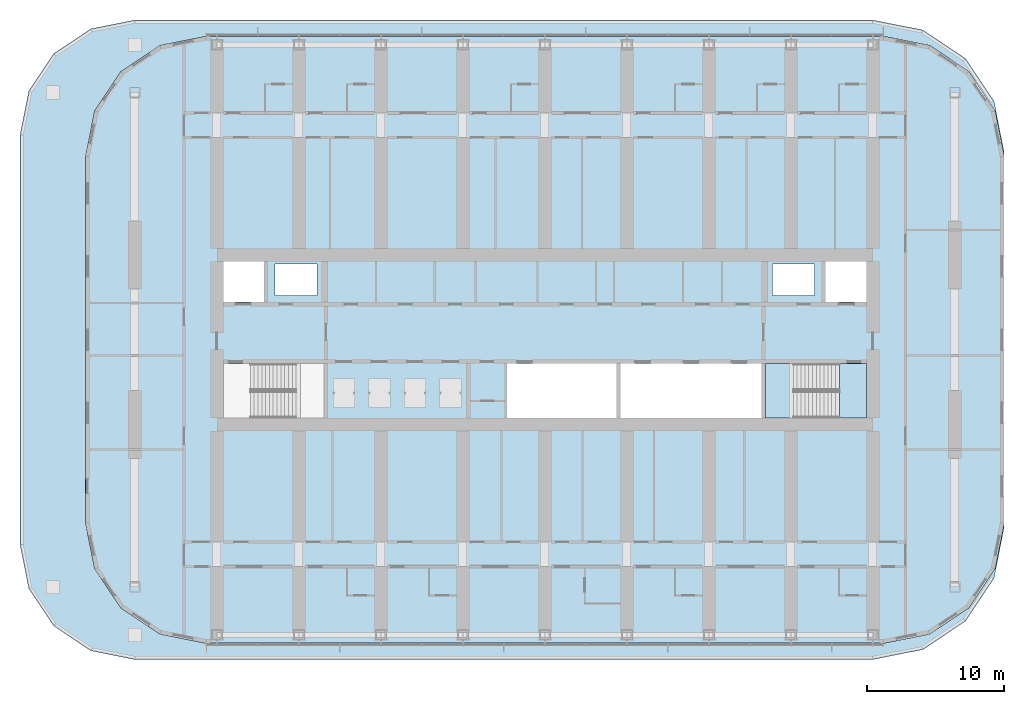
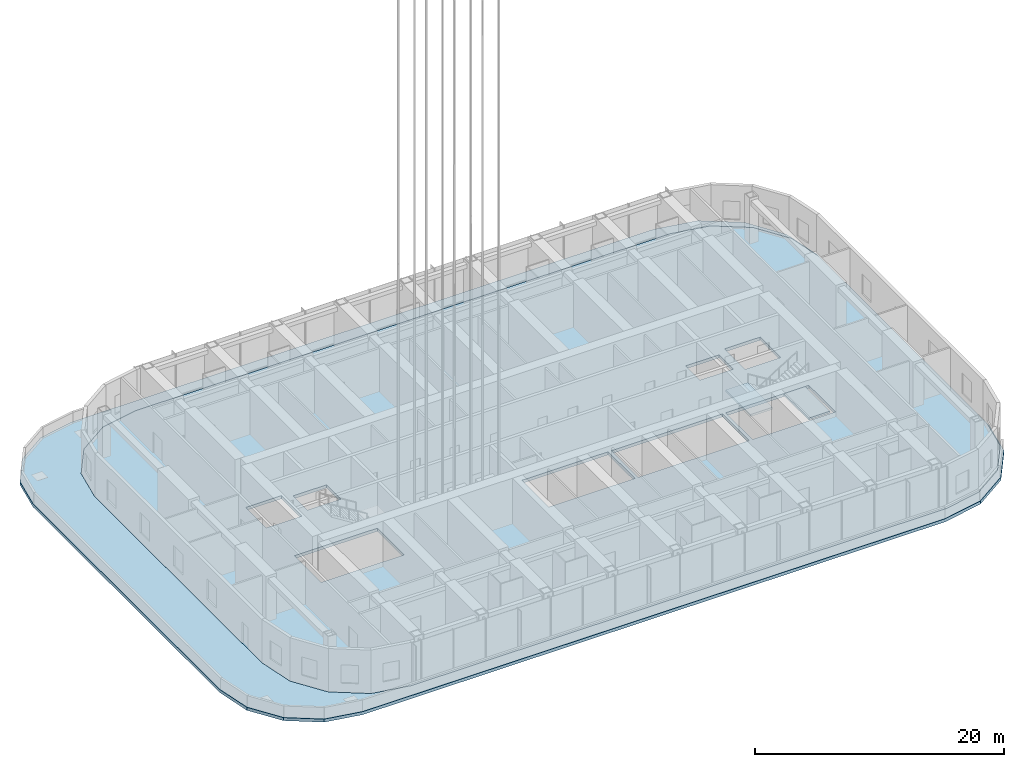
# One storey, part 8 of 32: 4 slabs, 1 element without a shape of its own.
"""IFC4 building model written with IfcOpenShell, lengths in metres."""

from ifc_helpers import new_model, si_unit, direction, frame, origin, place, context, subcontext, project, spatial, polyline, outline, extrude, material, layer, layer_set, type_object, element, aggregate, save


model = new_model("IFC4")

# Units and contexts
model_context = context("Model", 3, precision=1e-05, world=origin(), true_north=direction((0.0, 1.0)))
body_context = subcontext(model_context, "Body", "Model", "MODEL_VIEW")
ifc_project = project(units=[si_unit("LENGTHUNIT", "METRE"), si_unit("AREAUNIT", "SQUARE_METRE"), si_unit("VOLUMEUNIT", "CUBIC_METRE"), si_unit("PLANEANGLEUNIT", "RADIAN"), si_unit("MASSUNIT", "GRAM", prefix="KILO")], contexts=[model_context])

# Site, building, storey
site_placement = place(None, origin())
site = spatial("IfcSite", under=ifc_project, at=site_placement, CompositionType="ELEMENT")
building_placement = place(site_placement, origin())
building = spatial("IfcBuilding", under=site, at=building_placement, Name="Orbita Commons", CompositionType="ELEMENT")
storey_placement = place(building_placement, frame((0.0, 0.0, 140.35009765625)))
storey = spatial("IfcBuildingStorey", under=building, at=storey_placement, Name="L34", CompositionType="ELEMENT", Elevation=140.35009765625)

# Slabs
ifc_material_1 = material(Name="Concrete C40/50", Category="concrete")
ifc_layer_1 = layer(ifc_material_1, 0.300048828125)
ifc_layer_set_1 = layer_set([ifc_layer_1], Name="Concrete C40/50")
slab_type_1 = type_object("IfcSlabType", Name="Floor slab 300", PredefinedType="FLOOR", material=ifc_layer_set_1)
slab_1_placement = place(storey_placement, frame((0.0, 0.0, -0.300048828125)))
element("IfcSlab", 1, at=slab_1_placement, inside=storey, type_object=slab_type_1, Name="Floor slab L34", PredefinedType="FLOOR", context=body_context, shape_type="SweptSolid", body=[
    extrude(outline(polyline([(66.800048828125, 9.800048828125), (70.167724609375, 10.469970703125), (73.0224609375, 12.37744140625), (74.93017578125, 15.232421875), (75.60009765625, 18.60009765625), (75.60009765625, 45.39990234375), (74.93017578125, 48.767578125), (73.0224609375, 51.62255859375), (70.167724609375, 53.530029296875), (66.800048828125, 54.199951171875), (17.199951171875, 54.199951171875), (13.832275390625, 53.530029296875), (10.9775390625, 51.62255859375), (9.06982421875, 48.767578125), (8.39990234375, 45.39990234375), (8.39990234375, 18.60009765625), (9.06982421875, 15.232421875), (10.9775390625, 12.37744140625), (13.832275390625, 10.469970703125), (17.199951171875, 9.800048828125), (66.800048828125, 9.800048828125)]), holes=[polyline([(18.14990234375, 25.949951171875), (25.85009765625, 25.949951171875), (25.85009765625, 30.25), (18.14990234375, 30.25), (18.14990234375, 25.949951171875)]), polyline([(58.14990234375, 25.949951171875), (65.85009765625, 25.949951171875), (65.85009765625, 30.25), (58.14990234375, 30.25), (58.14990234375, 25.949951171875)]), polyline([(18.14990234375, 34.75), (21.449951171875, 34.75), (21.449951171875, 38.050048828125), (18.14990234375, 38.050048828125), (18.14990234375, 34.75)]), polyline([(62.550048828125, 34.75), (65.85009765625, 34.75), (65.85009765625, 38.050048828125), (62.550048828125, 38.050048828125), (62.550048828125, 34.75)]), polyline([(22.25, 35.25), (25.35009765625, 35.25), (25.35009765625, 37.550048828125), (22.25, 37.550048828125), (22.25, 35.25)]), polyline([(58.64990234375, 35.25), (61.75, 35.25), (61.75, 37.550048828125), (58.64990234375, 37.550048828125), (58.64990234375, 35.25)]), polyline([(39.25, 25.949951171875), (47.25, 25.949951171875), (47.25, 30.25), (39.25, 30.25), (39.25, 25.949951171875)]), polyline([(47.550048828125, 25.949951171875), (57.85009765625, 25.949951171875), (57.85009765625, 30.25), (47.550048828125, 30.25), (47.550048828125, 25.949951171875)])]), origin(), (0.0, 0.0, 1.0), 0.300048828125),
])
ifc_material_2 = material(Name="Concrete C40/50", Category="concrete")
ifc_layer_2 = layer(ifc_material_2, 0.300048828125)
ifc_layer_set_2 = layer_set([ifc_layer_2], Name="Concrete C40/50")
slab_type_2 = type_object("IfcSlabType", Name="Green roof slab 300", PredefinedType="ROOF", material=ifc_layer_set_2)
slab_2_placement = place(storey_placement, frame((0.0, 0.0, -0.300048828125)))
element("IfcSlab", 2, at=slab_2_placement, inside=storey, type_object=slab_type_2, Name="Green roof L34", PredefinedType="ROOF", context=body_context, shape_type="SweptSolid", body=[
    extrude(outline(polyline([(75.60009765625, 18.199951171875), (74.869140625, 14.526123046875), (72.7880859375, 11.411865234375), (69.673828125, 9.330810546875), (66.0, 8.60009765625), (12.0, 8.60009765625), (8.785400390625, 9.239501953125), (6.060302734375, 11.060302734375), (4.239501953125, 13.785400390625), (3.60009765625, 17.0), (3.60009765625, 47.0), (4.239501953125, 50.214599609375), (6.060302734375, 52.939697265625), (8.785400390625, 54.760498046875), (12.0, 55.39990234375), (66.0, 55.39990234375), (69.673828125, 54.669189453125), (72.7880859375, 52.588134765625), (74.869140625, 49.473876953125), (75.60009765625, 45.800048828125), (75.60009765625, 45.39990234375), (74.93017578125, 48.767578125), (73.0224609375, 51.62255859375), (70.16748046875, 53.530029296875), (66.800048828125, 54.199951171875), (17.199951171875, 54.199951171875), (13.83251953125, 53.530029296875), (10.9775390625, 51.62255859375), (9.06982421875, 48.767578125), (8.39990234375, 45.39990234375), (8.39990234375, 18.60009765625), (9.06982421875, 15.232421875), (10.9775390625, 12.37744140625), (13.83251953125, 10.469970703125), (17.199951171875, 9.800048828125), (66.800048828125, 9.800048828125), (70.16748046875, 10.469970703125), (73.0224609375, 12.37744140625), (74.93017578125, 15.232421875), (75.60009765625, 18.60009765625), (75.60009765625, 18.199951171875)])), origin(), (0.0, 0.0, 1.0), 0.300048828125),
])

# Stair, slabs
ifc_material_3 = material(Name="Precast concrete C40/50", Category="concrete")
stair_type = type_object("IfcStairType", Name="Exit stair S2 2 flights 13 risers 173", PredefinedType="HALF_TURN_STAIR", material=ifc_material_3)
stair_placement = place(storey_placement, origin())
stair = element("IfcStair", 3, at=stair_placement, inside=storey, type_object=stair_type, Name="Exit stair S2 L34", PredefinedType="HALF_TURN_STAIR")
ifc_material_4 = material(Name="Concrete C40/50", Category="concrete")
ifc_layer_3 = layer(ifc_material_4, 0.199951171875)
ifc_layer_set_3 = layer_set([ifc_layer_3], Name="Concrete C40/50")
slab_type_3 = type_object("IfcSlabType", Name="Stair landing 200", PredefinedType="LANDING", material=ifc_layer_set_3)
slab_3_placement = place(storey_placement, frame((0.0, 0.0, -0.2001953125)))
slab_3 = element("IfcSlab", 4, at=slab_3_placement, type_object=slab_type_3, Name="S2 landing 1", PredefinedType="LANDING", context=body_context, shape_type="SweptSolid", body=[
    extrude(outline(polyline([(63.550048828125, 26.27490234375), (65.52490234375, 26.27490234375), (65.52490234375, 30.25), (63.550048828125, 30.25), (63.550048828125, 26.27490234375)])), origin(), (0.0, 0.0, 1.0), 0.2001953125),
])
slab_4_placement = place(storey_placement, frame((0.0, 0.0, 2.0498046875)))
slab_4 = element("IfcSlab", 5, at=slab_4_placement, type_object=slab_type_3, Name="S2 landing 2", PredefinedType="LANDING", context=body_context, shape_type="SweptSolid", body=[
    extrude(outline(polyline([(58.135009765625, 26.260009765625), (60.18994140625, 26.260009765625), (60.18994140625, 30.264892578125), (58.135009765625, 30.264892578125), (58.135009765625, 26.260009765625)])), origin(), (0.0, 0.0, 1.0), 0.2001953125),
])
aggregate(stair, [slab_3, slab_4])

save(model, "model.ifc")
